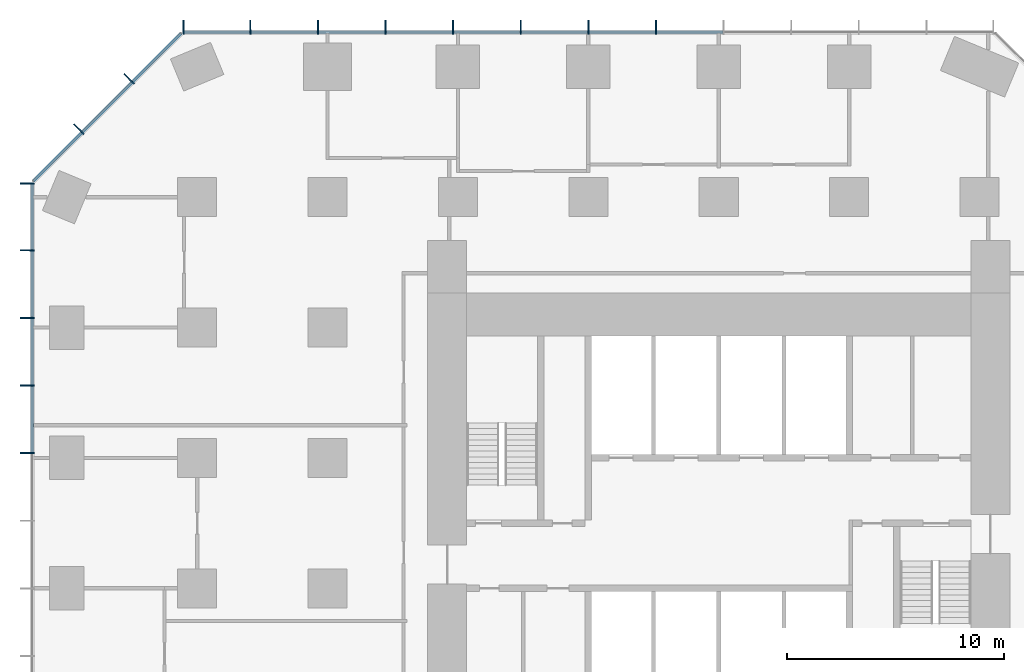
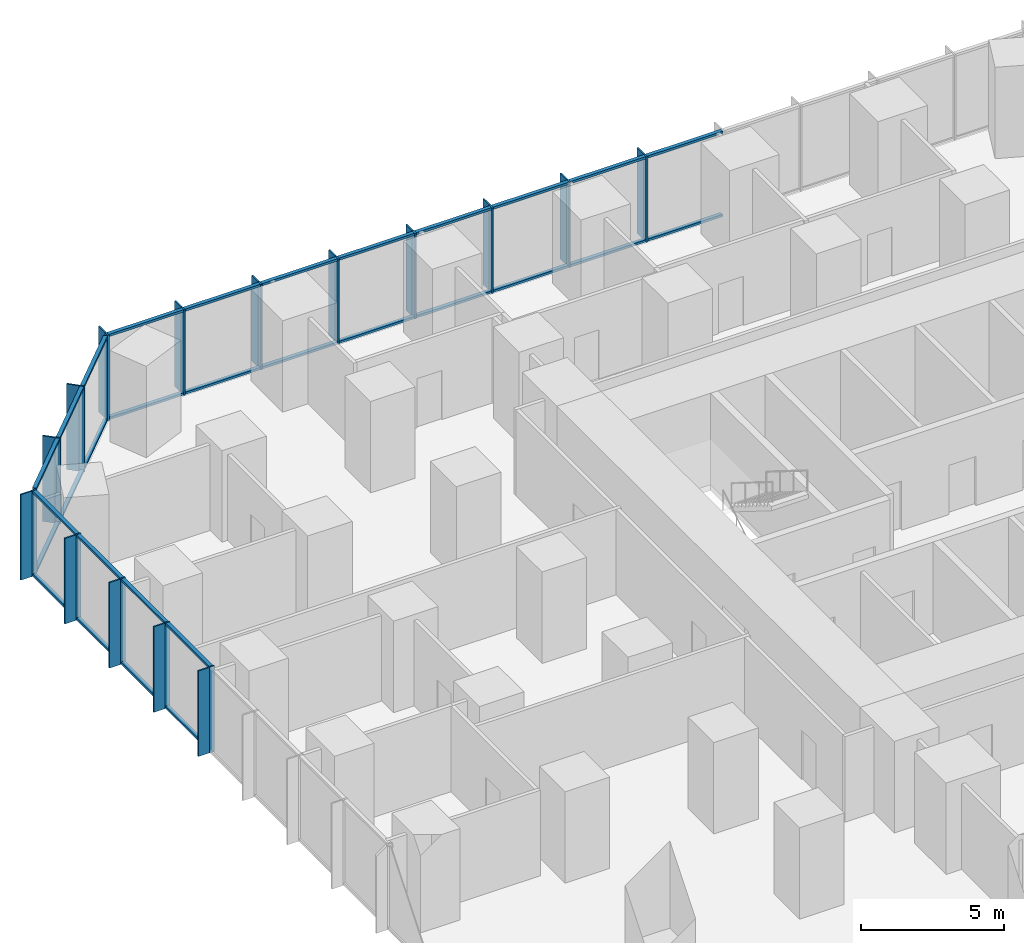
# One storey, part 5 of 12: 60 members, 3 elements without a shape of their own.
"""IFC4 building model written with IfcOpenShell, lengths in metres."""

from ifc_helpers import new_model, si_unit, direction, frame, origin, origin_2d, place, context, subcontext, project, spatial, rectangle, extrude, material, layer, layer_set, material_profile, profile_set, type_object, element, aggregate, save


model = new_model("IFC4")

# Units and contexts
model_context = context("Model", 3, precision=1e-05, world=origin(), true_north=direction((0.0, 1.0)))
body_context = subcontext(model_context, "Body", "Model", "MODEL_VIEW")
ifc_project = project(units=[si_unit("LENGTHUNIT", "METRE"), si_unit("AREAUNIT", "SQUARE_METRE"), si_unit("VOLUMEUNIT", "CUBIC_METRE"), si_unit("PLANEANGLEUNIT", "RADIAN"), si_unit("MASSUNIT", "GRAM", prefix="KILO")], contexts=[model_context])

# Site, building, storey
site_placement = place(None, origin())
site = spatial("IfcSite", under=ifc_project, at=site_placement, CompositionType="ELEMENT")
building_placement = place(site_placement, origin())
building = spatial("IfcBuilding", under=site, at=building_placement, Name="Highveld Stack Headquarters", CompositionType="ELEMENT")
storey_placement = place(building_placement, frame((0.0, 0.0, 37.699951171875)))
storey = spatial("IfcBuildingStorey", under=building, at=storey_placement, Name="L08", CompositionType="ELEMENT", Elevation=37.699951171875)

# Curtain wall, members
ifc_material_1 = material(Name="Aluminium bronze anodised", Category="aluminium")
ifc_layer_1 = layer(ifc_material_1, 0.199951171875)
ifc_layer_set_1 = layer_set([ifc_layer_1], Name="Aluminium bronze anodised")
curtain_wall_type_1 = type_object("IfcCurtainWallType", Name="CW1 TOWER UNITISED CURTAIN WALL", PredefinedType="NOTDEFINED", material=ifc_layer_set_1)
curtain_wall_1_placement = place(storey_placement, origin())
curtain_wall_1 = element("IfcCurtainWall", 1, at=curtain_wall_1_placement, inside=storey, type_object=curtain_wall_type_1, Name="Curtain wall CW1 L08 N", PredefinedType="NOTDEFINED")
ifc_material_2 = material(Name="Aluminium bronze anodised", Category="aluminium")
ifc_material_profile_1 = material_profile(ifc_material_2, rectangle(XDim=0.449951171875, YDim=0.06005859375, at=origin_2d()), Name="FIN 450x60")
ifc_profile_set_1 = profile_set([ifc_material_profile_1], Name="Aluminium bronze anodised")
member_type_1 = type_object("IfcMemberType", Name="CW1 BRONZE FIN 450x60", PredefinedType="USERDEFINED", material=ifc_profile_set_1)
member_1_placement = place(storey_placement, frame((3.110595703125, 25.925048828125, 0.0), z_axis=(0.0, 0.0, 1.0), x_axis=(0.0, -1.0, 0.0)))
member_1 = element("IfcMember", 2, at=member_1_placement, type_object=member_type_1, Name="CW1 fin L08 6", ObjectType="FIN", PredefinedType="USERDEFINED", context=body_context, shape_type="SweptSolid", body=[
    extrude(rectangle(XDim=0.449951171875, YDim=0.06005859375, at=origin_2d()), origin(), (0.0, 0.0, 1.0), 3.650146484375),
])
member_2_placement = place(storey_placement, frame((0.0, 25.925048828125, 0.0), z_axis=(0.0, 0.0, 1.0), x_axis=(0.0, -1.0, 0.0)))
member_2 = element("IfcMember", 3, at=member_2_placement, type_object=member_type_1, Name="CW1 fin L08 7", ObjectType="FIN", PredefinedType="USERDEFINED", context=body_context, shape_type="SweptSolid", body=[
    extrude(rectangle(XDim=0.449951171875, YDim=0.06005859375, at=origin_2d()), origin(), (0.0, 0.0, 1.0), 3.650146484375),
])
member_3_placement = place(storey_placement, frame((-3.110595703125, 25.925048828125, 0.0), z_axis=(0.0, 0.0, 1.0), x_axis=(0.0, -1.0, 0.0)))
member_3 = element("IfcMember", 4, at=member_3_placement, type_object=member_type_1, Name="CW1 fin L08 8", ObjectType="FIN", PredefinedType="USERDEFINED", context=body_context, shape_type="SweptSolid", body=[
    extrude(rectangle(XDim=0.449951171875, YDim=0.06005859375, at=origin_2d()), origin(), (0.0, 0.0, 1.0), 3.650146484375),
])
member_4_placement = place(storey_placement, frame((-6.220947265625, 25.925048828125, 0.0), z_axis=(0.0, 0.0, 1.0), x_axis=(0.0, -1.0, 0.0)))
member_4 = element("IfcMember", 5, at=member_4_placement, type_object=member_type_1, Name="CW1 fin L08 9", ObjectType="FIN", PredefinedType="USERDEFINED", context=body_context, shape_type="SweptSolid", body=[
    extrude(rectangle(XDim=0.449951171875, YDim=0.06005859375, at=origin_2d()), origin(), (0.0, 0.0, 1.0), 3.650146484375),
])
member_5_placement = place(storey_placement, frame((-9.331298828125, 25.925048828125, 0.0), z_axis=(0.0, 0.0, 1.0), x_axis=(0.0, -1.0, 0.0)))
member_5 = element("IfcMember", 6, at=member_5_placement, type_object=member_type_1, Name="CW1 fin L08 10", ObjectType="FIN", PredefinedType="USERDEFINED", context=body_context, shape_type="SweptSolid", body=[
    extrude(rectangle(XDim=0.449951171875, YDim=0.06005859375, at=origin_2d()), origin(), (0.0, 0.0, 1.0), 3.650146484375),
])
member_6_placement = place(storey_placement, frame((-12.44189453125, 25.925048828125, 0.0), z_axis=(0.0, 0.0, 1.0), x_axis=(0.0, -1.0, 0.0)))
member_6 = element("IfcMember", 7, at=member_6_placement, type_object=member_type_1, Name="CW1 fin L08 11", ObjectType="FIN", PredefinedType="USERDEFINED", context=body_context, shape_type="SweptSolid", body=[
    extrude(rectangle(XDim=0.449951171875, YDim=0.06005859375, at=origin_2d()), origin(), (0.0, 0.0, 1.0), 3.650146484375),
])
member_7_placement = place(storey_placement, frame((-15.55224609375, 25.925048828125, 0.0), z_axis=(0.0, 0.0, 1.0), x_axis=(0.0, -1.0, 0.0)))
member_7 = element("IfcMember", 8, at=member_7_placement, type_object=member_type_1, Name="CW1 fin L08 12", ObjectType="FIN", PredefinedType="USERDEFINED", context=body_context, shape_type="SweptSolid", body=[
    extrude(rectangle(XDim=0.449951171875, YDim=0.06005859375, at=origin_2d()), origin(), (0.0, 0.0, 1.0), 3.650146484375),
])
member_8_placement = place(storey_placement, frame((-18.630126953125, 25.925048828125, 0.0), z_axis=(0.0, 0.0, 1.0), x_axis=(0.0, -1.0, 0.0)))
member_8 = element("IfcMember", 9, at=member_8_placement, type_object=member_type_1, Name="CW1 fin L08 13", ObjectType="FIN", PredefinedType="USERDEFINED", context=body_context, shape_type="SweptSolid", body=[
    extrude(rectangle(XDim=0.449951171875, YDim=0.06005859375, at=origin_2d()), origin(), (0.0, 0.0, 1.0), 3.650146484375),
])

curtain_wall_2_placement = place(storey_placement, origin())
curtain_wall_2 = element("IfcCurtainWall", 10, at=curtain_wall_2_placement, inside=storey, type_object=curtain_wall_type_1, Name="Curtain wall CW1 L08 W", PredefinedType="NOTDEFINED")
member_9_placement = place(storey_placement, frame((-25.925048828125, 18.630126953125, 0.0), z_axis=(0.0, 0.0, 1.0), x_axis=(1.0, 0.0, 0.0)))
member_9 = element("IfcMember", 11, at=member_9_placement, type_object=member_type_1, Name="CW1 fin L08 1", ObjectType="FIN", PredefinedType="USERDEFINED", context=body_context, shape_type="SweptSolid", body=[
    extrude(rectangle(XDim=0.449951171875, YDim=0.06005859375, at=origin_2d()), origin(), (0.0, 0.0, 1.0), 3.650146484375),
])
member_10_placement = place(storey_placement, frame((-25.925048828125, 15.55224609375, 0.0), z_axis=(0.0, 0.0, 1.0), x_axis=(1.0, 0.0, 0.0)))
member_10 = element("IfcMember", 12, at=member_10_placement, type_object=member_type_1, Name="CW1 fin L08 2", ObjectType="FIN", PredefinedType="USERDEFINED", context=body_context, shape_type="SweptSolid", body=[
    extrude(rectangle(XDim=0.449951171875, YDim=0.06005859375, at=origin_2d()), origin(), (0.0, 0.0, 1.0), 3.650146484375),
])
member_11_placement = place(storey_placement, frame((-25.925048828125, 12.44189453125, 0.0), z_axis=(0.0, 0.0, 1.0), x_axis=(1.0, 0.0, 0.0)))
member_11 = element("IfcMember", 13, at=member_11_placement, type_object=member_type_1, Name="CW1 fin L08 3", ObjectType="FIN", PredefinedType="USERDEFINED", context=body_context, shape_type="SweptSolid", body=[
    extrude(rectangle(XDim=0.449951171875, YDim=0.06005859375, at=origin_2d()), origin(), (0.0, 0.0, 1.0), 3.650146484375),
])
member_12_placement = place(storey_placement, frame((-25.925048828125, 9.331298828125, 0.0), z_axis=(0.0, 0.0, 1.0), x_axis=(1.0, 0.0, 0.0)))
member_12 = element("IfcMember", 14, at=member_12_placement, type_object=member_type_1, Name="CW1 fin L08 4", ObjectType="FIN", PredefinedType="USERDEFINED", context=body_context, shape_type="SweptSolid", body=[
    extrude(rectangle(XDim=0.449951171875, YDim=0.06005859375, at=origin_2d()), origin(), (0.0, 0.0, 1.0), 3.650146484375),
])
member_13_placement = place(storey_placement, frame((-25.925048828125, 6.220947265625, 0.0), z_axis=(0.0, 0.0, 1.0), x_axis=(1.0, 0.0, 0.0)))
member_13 = element("IfcMember", 15, at=member_13_placement, type_object=member_type_1, Name="CW1 fin L08 5", ObjectType="FIN", PredefinedType="USERDEFINED", context=body_context, shape_type="SweptSolid", body=[
    extrude(rectangle(XDim=0.449951171875, YDim=0.06005859375, at=origin_2d()), origin(), (0.0, 0.0, 1.0), 3.650146484375),
])

# Member
ifc_material_3 = material(Name="Aluminium bronze anodised", Category="aluminium")
ifc_material_profile_2 = material_profile(ifc_material_3, rectangle(XDim=0.199951171875, YDim=0.06494140625, at=origin_2d()), Name="CW1 MULLION 65x200")
ifc_profile_set_2 = profile_set([ifc_material_profile_2], Name="Aluminium bronze anodised")
member_type_2 = type_object("IfcMemberType", Name="CW1 MULLION 65x200", PredefinedType="MULLION", material=ifc_profile_set_2)
member_14_placement = place(storey_placement, frame((3.110595703125, 25.60009765625, 0.0), z_axis=(0.0, 0.0, 1.0), x_axis=(0.0, -1.0, 0.0)))
member_14 = element("IfcMember", 16, at=member_14_placement, type_object=member_type_2, Name="CW1 mullion L08 6", PredefinedType="MULLION", context=body_context, shape_type="SweptSolid", body=[
    extrude(rectangle(XDim=0.199951171875, YDim=0.06494140625, at=origin_2d()), origin(), (0.0, 0.0, 1.0), 3.650146484375),
])

member_15_placement = place(storey_placement, frame((0.0, 25.60009765625, 0.0), z_axis=(0.0, 0.0, 1.0), x_axis=(0.0, -1.0, 0.0)))
member_15 = element("IfcMember", 17, at=member_15_placement, type_object=member_type_2, Name="CW1 mullion L08 7", PredefinedType="MULLION", context=body_context, shape_type="SweptSolid", body=[
    extrude(rectangle(XDim=0.199951171875, YDim=0.06494140625, at=origin_2d()), origin(), (0.0, 0.0, 1.0), 3.650146484375),
])

member_16_placement = place(storey_placement, frame((-3.110595703125, 25.60009765625, 0.0), z_axis=(0.0, 0.0, 1.0), x_axis=(0.0, -1.0, 0.0)))
member_16 = element("IfcMember", 18, at=member_16_placement, type_object=member_type_2, Name="CW1 mullion L08 8", PredefinedType="MULLION", context=body_context, shape_type="SweptSolid", body=[
    extrude(rectangle(XDim=0.199951171875, YDim=0.06494140625, at=origin_2d()), origin(), (0.0, 0.0, 1.0), 3.650146484375),
])

member_17_placement = place(storey_placement, frame((-6.220947265625, 25.60009765625, 0.0), z_axis=(0.0, 0.0, 1.0), x_axis=(0.0, -1.0, 0.0)))
member_17 = element("IfcMember", 19, at=member_17_placement, type_object=member_type_2, Name="CW1 mullion L08 9", PredefinedType="MULLION", context=body_context, shape_type="SweptSolid", body=[
    extrude(rectangle(XDim=0.199951171875, YDim=0.06494140625, at=origin_2d()), origin(), (0.0, 0.0, 1.0), 3.650146484375),
])

member_18_placement = place(storey_placement, frame((-9.331298828125, 25.60009765625, 0.0), z_axis=(0.0, 0.0, 1.0), x_axis=(0.0, -1.0, 0.0)))
member_18 = element("IfcMember", 20, at=member_18_placement, type_object=member_type_2, Name="CW1 mullion L08 10", PredefinedType="MULLION", context=body_context, shape_type="SweptSolid", body=[
    extrude(rectangle(XDim=0.199951171875, YDim=0.06494140625, at=origin_2d()), origin(), (0.0, 0.0, 1.0), 3.650146484375),
])

member_19_placement = place(storey_placement, frame((-12.44189453125, 25.60009765625, 0.0), z_axis=(0.0, 0.0, 1.0), x_axis=(0.0, -1.0, 0.0)))
member_19 = element("IfcMember", 21, at=member_19_placement, type_object=member_type_2, Name="CW1 mullion L08 11", PredefinedType="MULLION", context=body_context, shape_type="SweptSolid", body=[
    extrude(rectangle(XDim=0.199951171875, YDim=0.06494140625, at=origin_2d()), origin(), (0.0, 0.0, 1.0), 3.650146484375),
])

member_20_placement = place(storey_placement, frame((-15.55224609375, 25.60009765625, 0.0), z_axis=(0.0, 0.0, 1.0), x_axis=(0.0, -1.0, 0.0)))
member_20 = element("IfcMember", 22, at=member_20_placement, type_object=member_type_2, Name="CW1 mullion L08 12", PredefinedType="MULLION", context=body_context, shape_type="SweptSolid", body=[
    extrude(rectangle(XDim=0.199951171875, YDim=0.06494140625, at=origin_2d()), origin(), (0.0, 0.0, 1.0), 3.650146484375),
])

member_21_placement = place(storey_placement, frame((-18.630126953125, 25.60009765625, 0.0), z_axis=(0.0, 0.0, 1.0), x_axis=(0.0, -1.0, 0.0)))
member_21 = element("IfcMember", 23, at=member_21_placement, type_object=member_type_2, Name="CW1 mullion L08 13", PredefinedType="MULLION", context=body_context, shape_type="SweptSolid", body=[
    extrude(rectangle(XDim=0.199951171875, YDim=0.06494140625, at=origin_2d()), origin(), (0.0, 0.0, 1.0), 3.650146484375),
])

member_22_placement = place(storey_placement, frame((-25.60009765625, 18.630126953125, 0.0), z_axis=(0.0, 0.0, 1.0), x_axis=(1.0, 0.0, 0.0)))
member_22 = element("IfcMember", 24, at=member_22_placement, type_object=member_type_2, Name="CW1 mullion L08 1", PredefinedType="MULLION", context=body_context, shape_type="SweptSolid", body=[
    extrude(rectangle(XDim=0.199951171875, YDim=0.06494140625, at=origin_2d()), origin(), (0.0, 0.0, 1.0), 3.650146484375),
])

member_23_placement = place(storey_placement, frame((-25.60009765625, 15.55224609375, 0.0), z_axis=(0.0, 0.0, 1.0), x_axis=(1.0, 0.0, 0.0)))
member_23 = element("IfcMember", 25, at=member_23_placement, type_object=member_type_2, Name="CW1 mullion L08 2", PredefinedType="MULLION", context=body_context, shape_type="SweptSolid", body=[
    extrude(rectangle(XDim=0.199951171875, YDim=0.06494140625, at=origin_2d()), origin(), (0.0, 0.0, 1.0), 3.650146484375),
])

member_24_placement = place(storey_placement, frame((-25.60009765625, 12.44189453125, 0.0), z_axis=(0.0, 0.0, 1.0), x_axis=(1.0, 0.0, 0.0)))
member_24 = element("IfcMember", 26, at=member_24_placement, type_object=member_type_2, Name="CW1 mullion L08 3", PredefinedType="MULLION", context=body_context, shape_type="SweptSolid", body=[
    extrude(rectangle(XDim=0.199951171875, YDim=0.06494140625, at=origin_2d()), origin(), (0.0, 0.0, 1.0), 3.650146484375),
])

member_25_placement = place(storey_placement, frame((-25.60009765625, 9.331298828125, 0.0), z_axis=(0.0, 0.0, 1.0), x_axis=(1.0, 0.0, 0.0)))
member_25 = element("IfcMember", 27, at=member_25_placement, type_object=member_type_2, Name="CW1 mullion L08 4", PredefinedType="MULLION", context=body_context, shape_type="SweptSolid", body=[
    extrude(rectangle(XDim=0.199951171875, YDim=0.06494140625, at=origin_2d()), origin(), (0.0, 0.0, 1.0), 3.650146484375),
])

member_26_placement = place(storey_placement, frame((-25.60009765625, 6.220947265625, 0.0), z_axis=(0.0, 0.0, 1.0), x_axis=(1.0, 0.0, 0.0)))
member_26 = element("IfcMember", 28, at=member_26_placement, type_object=member_type_2, Name="CW1 mullion L08 5", PredefinedType="MULLION", context=body_context, shape_type="SweptSolid", body=[
    extrude(rectangle(XDim=0.199951171875, YDim=0.06494140625, at=origin_2d()), origin(), (0.0, 0.0, 1.0), 3.650146484375),
])

ifc_material_4 = material(Name="Aluminium bronze anodised", Category="aluminium")
ifc_material_profile_3 = material_profile(ifc_material_4, rectangle(XDim=0.14990234375, YDim=0.10009765625, at=origin_2d()), Name="CW1 TRANSOM 150x100")
ifc_profile_set_3 = profile_set([ifc_material_profile_3], Name="Aluminium bronze anodised")
member_type_3 = type_object("IfcMemberType", Name="CW1 STACK TRANSOM 150x100", PredefinedType="USERDEFINED", material=ifc_profile_set_3)
member_27_placement = place(storey_placement, frame((6.1884765625, 25.60009765625, 0.050048828125), z_axis=(-1.0, 0.0, 0.0), x_axis=(0.0, -1.0, 0.0)))
member_27 = element("IfcMember", 29, at=member_27_placement, type_object=member_type_3, Name="CW1 transom L08 5.1", ObjectType="TRANSOM", PredefinedType="USERDEFINED", context=body_context, shape_type="SweptSolid", body=[
    extrude(rectangle(XDim=0.14990234375, YDim=0.10009765625, at=origin_2d()), origin(), (0.0, 0.0, 1.0), 3.04541015625),
])

member_28_placement = place(storey_placement, frame((6.1884765625, 25.60009765625, 3.60009765625), z_axis=(-1.0, 0.0, 0.0), x_axis=(0.0, -1.0, 0.0)))
member_28 = element("IfcMember", 30, at=member_28_placement, type_object=member_type_3, Name="CW1 transom L08 5.2", ObjectType="TRANSOM", PredefinedType="USERDEFINED", context=body_context, shape_type="SweptSolid", body=[
    extrude(rectangle(XDim=0.14990234375, YDim=0.10009765625, at=origin_2d()), origin(), (0.0, 0.0, 1.0), 3.04541015625),
])

member_29_placement = place(storey_placement, frame((3.077880859375, 25.60009765625, 0.050048828125), z_axis=(-1.0, 0.0, 0.0), x_axis=(0.0, -1.0, 0.0)))
member_29 = element("IfcMember", 31, at=member_29_placement, type_object=member_type_3, Name="CW1 transom L08 6.1", ObjectType="TRANSOM", PredefinedType="USERDEFINED", context=body_context, shape_type="SweptSolid", body=[
    extrude(rectangle(XDim=0.14990234375, YDim=0.10009765625, at=origin_2d()), origin(), (0.0, 0.0, 1.0), 3.04541015625),
])

member_30_placement = place(storey_placement, frame((3.077880859375, 25.60009765625, 3.60009765625), z_axis=(-1.0, 0.0, 0.0), x_axis=(0.0, -1.0, 0.0)))
member_30 = element("IfcMember", 32, at=member_30_placement, type_object=member_type_3, Name="CW1 transom L08 6.2", ObjectType="TRANSOM", PredefinedType="USERDEFINED", context=body_context, shape_type="SweptSolid", body=[
    extrude(rectangle(XDim=0.14990234375, YDim=0.10009765625, at=origin_2d()), origin(), (0.0, 0.0, 1.0), 3.04541015625),
])

member_31_placement = place(storey_placement, frame((-0.032470703125, 25.60009765625, 0.050048828125), z_axis=(-1.0, 0.0, 0.0), x_axis=(0.0, -1.0, 0.0)))
member_31 = element("IfcMember", 33, at=member_31_placement, type_object=member_type_3, Name="CW1 transom L08 7.1", ObjectType="TRANSOM", PredefinedType="USERDEFINED", context=body_context, shape_type="SweptSolid", body=[
    extrude(rectangle(XDim=0.14990234375, YDim=0.10009765625, at=origin_2d()), origin(), (0.0, 0.0, 1.0), 3.04541015625),
])

member_32_placement = place(storey_placement, frame((-0.032470703125, 25.60009765625, 3.60009765625), z_axis=(-1.0, 0.0, 0.0), x_axis=(0.0, -1.0, 0.0)))
member_32 = element("IfcMember", 34, at=member_32_placement, type_object=member_type_3, Name="CW1 transom L08 7.2", ObjectType="TRANSOM", PredefinedType="USERDEFINED", context=body_context, shape_type="SweptSolid", body=[
    extrude(rectangle(XDim=0.14990234375, YDim=0.10009765625, at=origin_2d()), origin(), (0.0, 0.0, 1.0), 3.04541015625),
])

member_33_placement = place(storey_placement, frame((-3.142822265625, 25.60009765625, 0.050048828125), z_axis=(-1.0, 0.0, 0.0), x_axis=(0.0, -1.0, 0.0)))
member_33 = element("IfcMember", 35, at=member_33_placement, type_object=member_type_3, Name="CW1 transom L08 8.1", ObjectType="TRANSOM", PredefinedType="USERDEFINED", context=body_context, shape_type="SweptSolid", body=[
    extrude(rectangle(XDim=0.14990234375, YDim=0.10009765625, at=origin_2d()), origin(), (0.0, 0.0, 1.0), 3.045654296875),
])

member_34_placement = place(storey_placement, frame((-3.142822265625, 25.60009765625, 3.60009765625), z_axis=(-1.0, 0.0, 0.0), x_axis=(0.0, -1.0, 0.0)))
member_34 = element("IfcMember", 36, at=member_34_placement, type_object=member_type_3, Name="CW1 transom L08 8.2", ObjectType="TRANSOM", PredefinedType="USERDEFINED", context=body_context, shape_type="SweptSolid", body=[
    extrude(rectangle(XDim=0.14990234375, YDim=0.10009765625, at=origin_2d()), origin(), (0.0, 0.0, 1.0), 3.045654296875),
])

member_35_placement = place(storey_placement, frame((-6.25341796875, 25.60009765625, 0.050048828125), z_axis=(-1.0, 0.0, 0.0), x_axis=(0.0, -1.0, 0.0)))
member_35 = element("IfcMember", 37, at=member_35_placement, type_object=member_type_3, Name="CW1 transom L08 9.1", ObjectType="TRANSOM", PredefinedType="USERDEFINED", context=body_context, shape_type="SweptSolid", body=[
    extrude(rectangle(XDim=0.14990234375, YDim=0.10009765625, at=origin_2d()), origin(), (0.0, 0.0, 1.0), 3.04541015625),
])

member_36_placement = place(storey_placement, frame((-6.25341796875, 25.60009765625, 3.60009765625), z_axis=(-1.0, 0.0, 0.0), x_axis=(0.0, -1.0, 0.0)))
member_36 = element("IfcMember", 38, at=member_36_placement, type_object=member_type_3, Name="CW1 transom L08 9.2", ObjectType="TRANSOM", PredefinedType="USERDEFINED", context=body_context, shape_type="SweptSolid", body=[
    extrude(rectangle(XDim=0.14990234375, YDim=0.10009765625, at=origin_2d()), origin(), (0.0, 0.0, 1.0), 3.04541015625),
])

member_37_placement = place(storey_placement, frame((-9.36376953125, 25.60009765625, 0.050048828125), z_axis=(-1.0, 0.0, 0.0), x_axis=(0.0, -1.0, 0.0)))
member_37 = element("IfcMember", 39, at=member_37_placement, type_object=member_type_3, Name="CW1 transom L08 10.1", ObjectType="TRANSOM", PredefinedType="USERDEFINED", context=body_context, shape_type="SweptSolid", body=[
    extrude(rectangle(XDim=0.14990234375, YDim=0.10009765625, at=origin_2d()), origin(), (0.0, 0.0, 1.0), 3.04541015625),
])

member_38_placement = place(storey_placement, frame((-9.36376953125, 25.60009765625, 3.60009765625), z_axis=(-1.0, 0.0, 0.0), x_axis=(0.0, -1.0, 0.0)))
member_38 = element("IfcMember", 40, at=member_38_placement, type_object=member_type_3, Name="CW1 transom L08 10.2", ObjectType="TRANSOM", PredefinedType="USERDEFINED", context=body_context, shape_type="SweptSolid", body=[
    extrude(rectangle(XDim=0.14990234375, YDim=0.10009765625, at=origin_2d()), origin(), (0.0, 0.0, 1.0), 3.04541015625),
])

member_39_placement = place(storey_placement, frame((-12.474365234375, 25.60009765625, 0.050048828125), z_axis=(-1.0, 0.0, 0.0), x_axis=(0.0, -1.0, 0.0)))
member_39 = element("IfcMember", 41, at=member_39_placement, type_object=member_type_3, Name="CW1 transom L08 11.1", ObjectType="TRANSOM", PredefinedType="USERDEFINED", context=body_context, shape_type="SweptSolid", body=[
    extrude(rectangle(XDim=0.14990234375, YDim=0.10009765625, at=origin_2d()), origin(), (0.0, 0.0, 1.0), 3.04541015625),
])

member_40_placement = place(storey_placement, frame((-12.474365234375, 25.60009765625, 3.60009765625), z_axis=(-1.0, 0.0, 0.0), x_axis=(0.0, -1.0, 0.0)))
member_40 = element("IfcMember", 42, at=member_40_placement, type_object=member_type_3, Name="CW1 transom L08 11.2", ObjectType="TRANSOM", PredefinedType="USERDEFINED", context=body_context, shape_type="SweptSolid", body=[
    extrude(rectangle(XDim=0.14990234375, YDim=0.10009765625, at=origin_2d()), origin(), (0.0, 0.0, 1.0), 3.04541015625),
])

member_41_placement = place(storey_placement, frame((-15.584716796875, 25.60009765625, 0.050048828125), z_axis=(-1.0, 0.0, 0.0), x_axis=(0.0, -1.0, 0.0)))
member_41 = element("IfcMember", 43, at=member_41_placement, type_object=member_type_3, Name="CW1 transom L08 12.1", ObjectType="TRANSOM", PredefinedType="USERDEFINED", context=body_context, shape_type="SweptSolid", body=[
    extrude(rectangle(XDim=0.14990234375, YDim=0.10009765625, at=origin_2d()), origin(), (0.0, 0.0, 1.0), 3.012939453125),
])

member_42_placement = place(storey_placement, frame((-15.584716796875, 25.60009765625, 3.60009765625), z_axis=(-1.0, 0.0, 0.0), x_axis=(0.0, -1.0, 0.0)))
member_42 = element("IfcMember", 44, at=member_42_placement, type_object=member_type_3, Name="CW1 transom L08 12.2", ObjectType="TRANSOM", PredefinedType="USERDEFINED", context=body_context, shape_type="SweptSolid", body=[
    extrude(rectangle(XDim=0.14990234375, YDim=0.10009765625, at=origin_2d()), origin(), (0.0, 0.0, 1.0), 3.012939453125),
])

aggregate(curtain_wall_1, [member_14, member_1, member_15, member_2, member_16, member_3, member_17, member_4, member_18, member_5, member_19, member_6, member_20, member_7, member_21, member_8, member_27, member_28, member_29, member_30, member_31, member_32, member_33, member_34, member_35, member_36, member_37, member_38, member_39, member_40, member_41, member_42])

member_43_placement = place(storey_placement, frame((-25.60009765625, 18.59765625, 0.050048828125), z_axis=(0.0, -1.0, 0.0), x_axis=(1.0, 0.0, 0.0)))
member_43 = element("IfcMember", 45, at=member_43_placement, type_object=member_type_3, Name="CW1 transom L08 1.1", ObjectType="TRANSOM", PredefinedType="USERDEFINED", context=body_context, shape_type="SweptSolid", body=[
    extrude(rectangle(XDim=0.14990234375, YDim=0.10009765625, at=origin_2d()), origin(), (0.0, 0.0, 1.0), 3.012939453125),
])

member_44_placement = place(storey_placement, frame((-25.60009765625, 18.59765625, 3.60009765625), z_axis=(0.0, -1.0, 0.0), x_axis=(1.0, 0.0, 0.0)))
member_44 = element("IfcMember", 46, at=member_44_placement, type_object=member_type_3, Name="CW1 transom L08 1.2", ObjectType="TRANSOM", PredefinedType="USERDEFINED", context=body_context, shape_type="SweptSolid", body=[
    extrude(rectangle(XDim=0.14990234375, YDim=0.10009765625, at=origin_2d()), origin(), (0.0, 0.0, 1.0), 3.012939453125),
])

member_45_placement = place(storey_placement, frame((-25.60009765625, 15.519775390625, 0.050048828125), z_axis=(0.0, -1.0, 0.0), x_axis=(1.0, 0.0, 0.0)))
member_45 = element("IfcMember", 47, at=member_45_placement, type_object=member_type_3, Name="CW1 transom L08 2.1", ObjectType="TRANSOM", PredefinedType="USERDEFINED", context=body_context, shape_type="SweptSolid", body=[
    extrude(rectangle(XDim=0.14990234375, YDim=0.10009765625, at=origin_2d()), origin(), (0.0, 0.0, 1.0), 3.04541015625),
])

member_46_placement = place(storey_placement, frame((-25.60009765625, 15.519775390625, 3.60009765625), z_axis=(0.0, -1.0, 0.0), x_axis=(1.0, 0.0, 0.0)))
member_46 = element("IfcMember", 48, at=member_46_placement, type_object=member_type_3, Name="CW1 transom L08 2.2", ObjectType="TRANSOM", PredefinedType="USERDEFINED", context=body_context, shape_type="SweptSolid", body=[
    extrude(rectangle(XDim=0.14990234375, YDim=0.10009765625, at=origin_2d()), origin(), (0.0, 0.0, 1.0), 3.04541015625),
])

member_47_placement = place(storey_placement, frame((-25.60009765625, 12.4091796875, 0.050048828125), z_axis=(0.0, -1.0, 0.0), x_axis=(1.0, 0.0, 0.0)))
member_47 = element("IfcMember", 49, at=member_47_placement, type_object=member_type_3, Name="CW1 transom L08 3.1", ObjectType="TRANSOM", PredefinedType="USERDEFINED", context=body_context, shape_type="SweptSolid", body=[
    extrude(rectangle(XDim=0.14990234375, YDim=0.10009765625, at=origin_2d()), origin(), (0.0, 0.0, 1.0), 3.045166015625),
])

member_48_placement = place(storey_placement, frame((-25.60009765625, 12.4091796875, 3.60009765625), z_axis=(0.0, -1.0, 0.0), x_axis=(1.0, 0.0, 0.0)))
member_48 = element("IfcMember", 50, at=member_48_placement, type_object=member_type_3, Name="CW1 transom L08 3.2", ObjectType="TRANSOM", PredefinedType="USERDEFINED", context=body_context, shape_type="SweptSolid", body=[
    extrude(rectangle(XDim=0.14990234375, YDim=0.10009765625, at=origin_2d()), origin(), (0.0, 0.0, 1.0), 3.045166015625),
])

member_49_placement = place(storey_placement, frame((-25.60009765625, 9.298828125, 0.050048828125), z_axis=(0.0, -1.0, 0.0), x_axis=(1.0, 0.0, 0.0)))
member_49 = element("IfcMember", 51, at=member_49_placement, type_object=member_type_3, Name="CW1 transom L08 4.1", ObjectType="TRANSOM", PredefinedType="USERDEFINED", context=body_context, shape_type="SweptSolid", body=[
    extrude(rectangle(XDim=0.14990234375, YDim=0.10009765625, at=origin_2d()), origin(), (0.0, 0.0, 1.0), 3.04541015625),
])

member_50_placement = place(storey_placement, frame((-25.60009765625, 9.298828125, 3.60009765625), z_axis=(0.0, -1.0, 0.0), x_axis=(1.0, 0.0, 0.0)))
member_50 = element("IfcMember", 52, at=member_50_placement, type_object=member_type_3, Name="CW1 transom L08 4.2", ObjectType="TRANSOM", PredefinedType="USERDEFINED", context=body_context, shape_type="SweptSolid", body=[
    extrude(rectangle(XDim=0.14990234375, YDim=0.10009765625, at=origin_2d()), origin(), (0.0, 0.0, 1.0), 3.04541015625),
])

aggregate(curtain_wall_2, [member_22, member_9, member_23, member_10, member_24, member_11, member_25, member_12, member_26, member_13, member_43, member_44, member_45, member_46, member_47, member_48, member_49, member_50])

# Curtain wall, members
ifc_material_5 = material(Name="Aluminium bronze anodised", Category="aluminium")
ifc_layer_2 = layer(ifc_material_5, 0.199951171875)
ifc_layer_set_2 = layer_set([ifc_layer_2], Name="Aluminium bronze anodised")
curtain_wall_type_2 = type_object("IfcCurtainWallType", Name="CW2 TOWER CHAMFER UNITISED CURTAIN WALL", PredefinedType="NOTDEFINED", material=ifc_layer_set_2)
curtain_wall_3_placement = place(storey_placement, origin())
curtain_wall_3 = element("IfcCurtainWall", 53, at=curtain_wall_3_placement, inside=storey, type_object=curtain_wall_type_2, Name="Curtain wall CW2 L08 NW", PredefinedType="NOTDEFINED")
ifc_material_6 = material(Name="Aluminium bronze anodised", Category="aluminium")
ifc_material_profile_4 = material_profile(ifc_material_6, rectangle(XDim=0.449951171875, YDim=0.06005859375, at=origin_2d()), Name="FIN 450x60")
ifc_profile_set_4 = profile_set([ifc_material_profile_4], Name="Aluminium bronze anodised")
member_type_4 = type_object("IfcMemberType", Name="CW2 BRONZE FIN 450x60", PredefinedType="USERDEFINED", material=ifc_profile_set_4)
member_51_placement = place(storey_placement, frame((-21.204833984375, 23.517333984375, 0.0), z_axis=(0.0, 0.0, 1.0), x_axis=(0.707106781187, -0.707106781187, 0.0)))
member_51 = element("IfcMember", 54, at=member_51_placement, type_object=member_type_4, Name="CW2 fin L08 1", ObjectType="FIN", PredefinedType="USERDEFINED", context=body_context, shape_type="SweptSolid", body=[
    extrude(rectangle(XDim=0.449951171875, YDim=0.06005859375, at=origin_2d()), origin(), (0.0, 0.0, 1.0), 3.650146484375),
])
member_52_placement = place(storey_placement, frame((-23.517333984375, 21.204833984375, 0.0), z_axis=(0.0, 0.0, 1.0), x_axis=(0.707106781187, -0.707106781187, 0.0)))
member_52 = element("IfcMember", 55, at=member_52_placement, type_object=member_type_4, Name="CW2 fin L08 2", ObjectType="FIN", PredefinedType="USERDEFINED", context=body_context, shape_type="SweptSolid", body=[
    extrude(rectangle(XDim=0.449951171875, YDim=0.06005859375, at=origin_2d()), origin(), (0.0, 0.0, 1.0), 3.650146484375),
])
ifc_material_7 = material(Name="Aluminium bronze anodised", Category="aluminium")
ifc_material_profile_5 = material_profile(ifc_material_7, rectangle(XDim=0.199951171875, YDim=0.06494140625, at=origin_2d()), Name="CW2 MULLION 65x200")
ifc_profile_set_5 = profile_set([ifc_material_profile_5], Name="Aluminium bronze anodised")
member_type_5 = type_object("IfcMemberType", Name="CW2 MULLION 65x200", PredefinedType="MULLION", material=ifc_profile_set_5)
member_53_placement = place(storey_placement, frame((-20.97509765625, 23.28759765625, 0.0), z_axis=(0.0, 0.0, 1.0), x_axis=(0.707106781187, -0.707106781187, 0.0)))
member_53 = element("IfcMember", 56, at=member_53_placement, type_object=member_type_5, Name="CW2 mullion L08 1", PredefinedType="MULLION", context=body_context, shape_type="SweptSolid", body=[
    extrude(rectangle(XDim=0.199951171875, YDim=0.06494140625, at=origin_2d()), origin(), (0.0, 0.0, 1.0), 3.650146484375),
])
member_54_placement = place(storey_placement, frame((-23.28759765625, 20.97509765625, 0.0), z_axis=(0.0, 0.0, 1.0), x_axis=(0.707106781187, -0.707106781187, 0.0)))
member_54 = element("IfcMember", 57, at=member_54_placement, type_object=member_type_5, Name="CW2 mullion L08 2", PredefinedType="MULLION", context=body_context, shape_type="SweptSolid", body=[
    extrude(rectangle(XDim=0.199951171875, YDim=0.06494140625, at=origin_2d()), origin(), (0.0, 0.0, 1.0), 3.650146484375),
])
ifc_material_8 = material(Name="Aluminium bronze anodised", Category="aluminium")
ifc_material_profile_6 = material_profile(ifc_material_8, rectangle(XDim=0.14990234375, YDim=0.10009765625, at=origin_2d()), Name="CW2 TRANSOM 150x100")
ifc_profile_set_6 = profile_set([ifc_material_profile_6], Name="Aluminium bronze anodised")
member_type_6 = type_object("IfcMemberType", Name="CW2 STACK TRANSOM 150x100", PredefinedType="USERDEFINED", material=ifc_profile_set_6)
member_55_placement = place(storey_placement, frame((-18.7333984375, 25.529296875, 0.050048828125), z_axis=(-0.707106781187, -0.707106781187, 0.0), x_axis=(0.707106781187, -0.707106781187, 0.0)))
member_55 = element("IfcMember", 58, at=member_55_placement, type_object=member_type_6, Name="CW2 transom L08 1.1", ObjectType="TRANSOM", PredefinedType="USERDEFINED", context=body_context, shape_type="SweptSolid", body=[
    extrude(rectangle(XDim=0.14990234375, YDim=0.10009765625, at=origin_2d()), origin(), (0.0, 0.0, 1.0), 3.1376953125),
])
member_56_placement = place(storey_placement, frame((-18.7333984375, 25.529296875, 3.60009765625), z_axis=(-0.707106781187, -0.707106781187, 0.0), x_axis=(0.707106781187, -0.707106781187, 0.0)))
member_56 = element("IfcMember", 59, at=member_56_placement, type_object=member_type_6, Name="CW2 transom L08 1.2", ObjectType="TRANSOM", PredefinedType="USERDEFINED", context=body_context, shape_type="SweptSolid", body=[
    extrude(rectangle(XDim=0.14990234375, YDim=0.10009765625, at=origin_2d()), origin(), (0.0, 0.0, 1.0), 3.1376953125),
])
member_57_placement = place(storey_placement, frame((-20.998046875, 23.2646484375, 0.050048828125), z_axis=(-0.707106781187, -0.707106781187, 0.0), x_axis=(0.707106781187, -0.707106781187, 0.0)))
member_57 = element("IfcMember", 60, at=member_57_placement, type_object=member_type_6, Name="CW2 transom L08 2.1", ObjectType="TRANSOM", PredefinedType="USERDEFINED", context=body_context, shape_type="SweptSolid", body=[
    extrude(rectangle(XDim=0.14990234375, YDim=0.10009765625, at=origin_2d()), origin(), (0.0, 0.0, 1.0), 3.20556640625),
])
member_58_placement = place(storey_placement, frame((-20.998046875, 23.2646484375, 3.60009765625), z_axis=(-0.707106781187, -0.707106781187, 0.0), x_axis=(0.707106781187, -0.707106781187, 0.0)))
member_58 = element("IfcMember", 61, at=member_58_placement, type_object=member_type_6, Name="CW2 transom L08 2.2", ObjectType="TRANSOM", PredefinedType="USERDEFINED", context=body_context, shape_type="SweptSolid", body=[
    extrude(rectangle(XDim=0.14990234375, YDim=0.10009765625, at=origin_2d()), origin(), (0.0, 0.0, 1.0), 3.20556640625),
])
member_59_placement = place(storey_placement, frame((-23.310546875, 20.9521484375, 0.050048828125), z_axis=(-0.707106781187, -0.707106781187, 0.0), x_axis=(0.707106781187, -0.707106781187, 0.0)))
member_59 = element("IfcMember", 62, at=member_59_placement, type_object=member_type_6, Name="CW2 transom L08 3.1", ObjectType="TRANSOM", PredefinedType="USERDEFINED", context=body_context, shape_type="SweptSolid", body=[
    extrude(rectangle(XDim=0.14990234375, YDim=0.10009765625, at=origin_2d()), origin(), (0.0, 0.0, 1.0), 3.1376953125),
])
member_60_placement = place(storey_placement, frame((-23.310546875, 20.9521484375, 3.60009765625), z_axis=(-0.707106781187, -0.707106781187, 0.0), x_axis=(0.707106781187, -0.707106781187, 0.0)))
member_60 = element("IfcMember", 63, at=member_60_placement, type_object=member_type_6, Name="CW2 transom L08 3.2", ObjectType="TRANSOM", PredefinedType="USERDEFINED", context=body_context, shape_type="SweptSolid", body=[
    extrude(rectangle(XDim=0.14990234375, YDim=0.10009765625, at=origin_2d()), origin(), (0.0, 0.0, 1.0), 3.1376953125),
])
aggregate(curtain_wall_3, [member_53, member_51, member_54, member_52, member_55, member_56, member_57, member_58, member_59, member_60])

save(model, "model.ifc")
